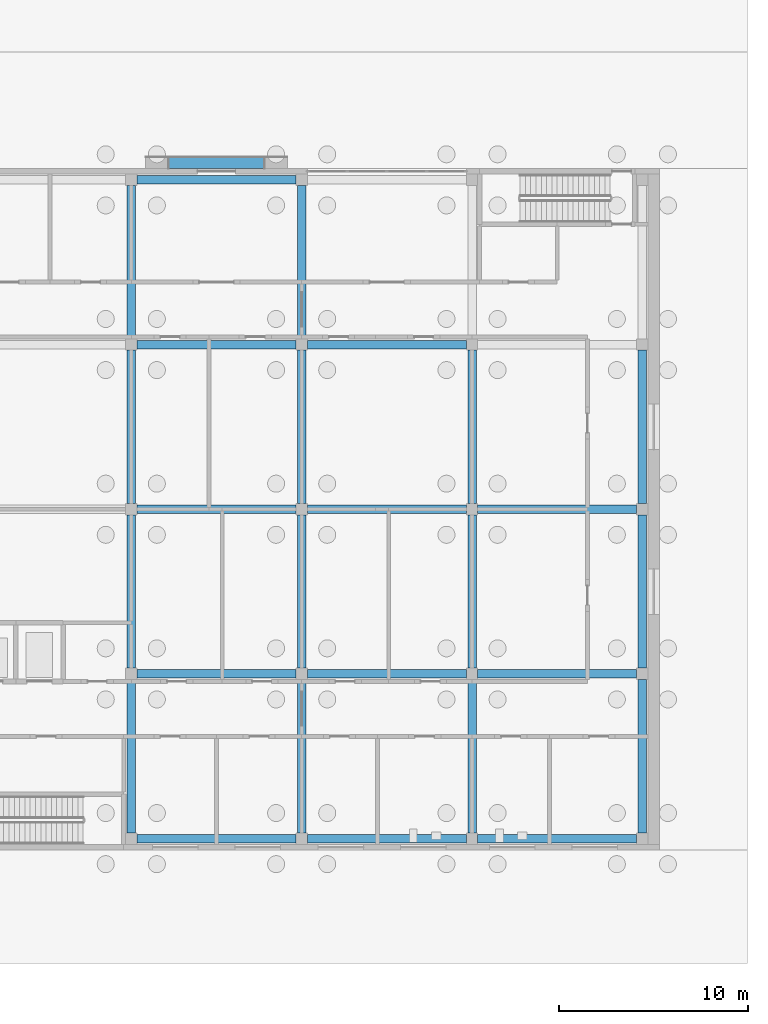
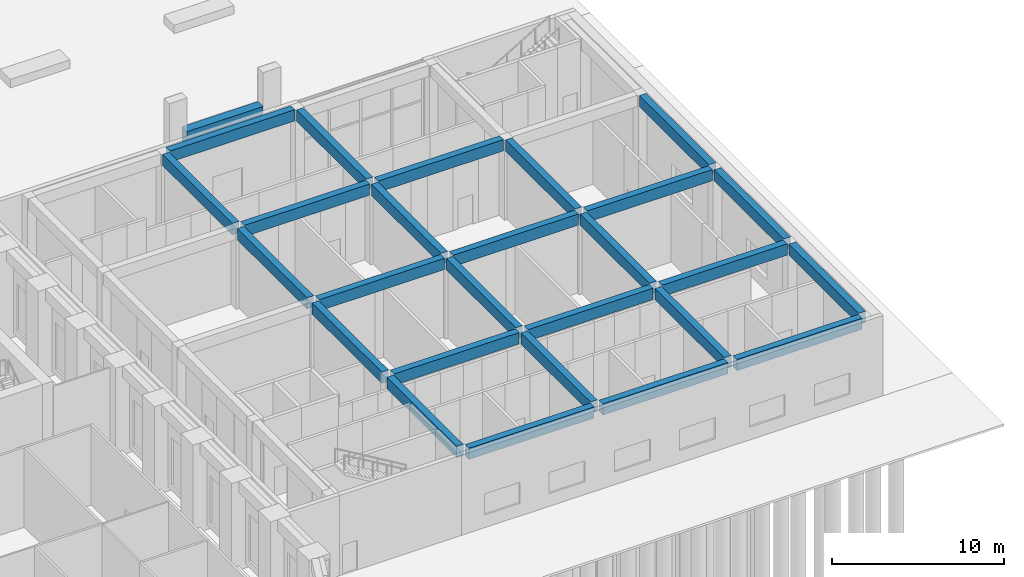
# One storey, part 9 of 31: 27 beams.
"""IFC4 building model written with IfcOpenShell, lengths in metres."""

from ifc_helpers import new_model, si_unit, direction, frame, origin, origin_2d, place, context, subcontext, project, spatial, rectangle, extrude, material, material_profile, profile_set, type_object, element, save


model = new_model("IFC4")

# Units and contexts
model_context = context("Model", 3, precision=1e-05, world=origin(), true_north=direction((0.0, 1.0)))
body_context = subcontext(model_context, "Body", "Model", "MODEL_VIEW")
ifc_project = project(units=[si_unit("LENGTHUNIT", "METRE"), si_unit("AREAUNIT", "SQUARE_METRE"), si_unit("VOLUMEUNIT", "CUBIC_METRE"), si_unit("PLANEANGLEUNIT", "RADIAN"), si_unit("MASSUNIT", "GRAM", prefix="KILO")], contexts=[model_context])

# Site, building, storey
site_placement = place(None, origin())
site = spatial("IfcSite", under=ifc_project, at=site_placement, CompositionType="ELEMENT")
building_placement = place(site_placement, origin())
building = spatial("IfcBuilding", under=site, at=building_placement, Name="Girih Gate Residences", CompositionType="ELEMENT")
storey_placement = place(building_placement, origin())
storey = spatial("IfcBuildingStorey", under=building, at=storey_placement, Name="L00", CompositionType="ELEMENT", Elevation=0.0)

# Beams
ifc_material_1 = material(Name="Concrete C40/50", Category="concrete")
ifc_material_profile_1 = material_profile(ifc_material_1, rectangle(XDim=0.449951171875, YDim=0.800048828125, at=origin_2d()))
ifc_profile_set_1 = profile_set([ifc_material_profile_1], Name="Concrete C40/50")
beam_type_1 = type_object("IfcBeamType", Name="HC Beam 450x800 C40/50", PredefinedType="BEAM", material=ifc_profile_set_1)
for number, where, z_axis, x_axis, name in (
    (1, (62.75, 9.60009765625, 5.300048828125), (1.0, 0.0, 0.0), (0.0, 1.0, 0.0), "L00 beam HA.2"),
    (2, (71.75, 9.60009765625, 5.300048828125), (1.0, 0.0, 0.0), (0.0, 1.0, 0.0), "L00 beam HA.3"),
    (3, (80.75, 9.60009765625, 5.300048828125), (1.0, 0.0, 0.0), (0.0, 1.0, 0.0), "L00 beam HA.4"),
    (4, (62.75, 18.300048828125, 5.300048828125), (1.0, 0.0, 0.0), (0.0, 1.0, 0.0), "L00 beam HB.2"),
    (5, (71.75, 18.300048828125, 5.300048828125), (1.0, 0.0, 0.0), (0.0, 1.0, 0.0), "L00 beam HB.3"),
    (6, (80.75, 18.300048828125, 5.300048828125), (1.0, 0.0, 0.0), (0.0, 1.0, 0.0), "L00 beam HB.4"),
    (7, (62.75, 27.0, 5.300048828125), (1.0, 0.0, 0.0), (0.0, 1.0, 0.0), "L00 beam HC.2"),
    (8, (71.75, 27.0, 5.300048828125), (1.0, 0.0, 0.0), (0.0, 1.0, 0.0), "L00 beam HC.3"),
    (9, (80.75, 27.0, 5.300048828125), (1.0, 0.0, 0.0), (0.0, 1.0, 0.0), "L00 beam HC.4"),
    (10, (62.75, 35.699951171875, 5.300048828125), (1.0, 0.0, 0.0), (0.0, 1.0, 0.0), "L00 beam HD.2"),
    (11, (71.75, 35.699951171875, 5.300048828125), (1.0, 0.0, 0.0), (0.0, 1.0, 0.0), "L00 beam HD.3"),
    (12, (62.75, 44.39990234375, 5.300048828125), (1.0, 0.0, 0.0), (0.0, 1.0, 0.0), "L00 beam HE.2"),
):
    element("IfcBeam", number, at=place(storey_placement, frame(where, z_axis=z_axis, x_axis=x_axis)), inside=storey, type_object=beam_type_1, Name=name, PredefinedType="BEAM", context=body_context, shape_type="SweptSolid", body=[
        extrude(rectangle(XDim=0.449951171875, YDim=0.800048828125, at=origin_2d()), origin(), (0.0, 0.0, 1.0), 8.39990234375),
    ])
beam_1_placement = place(storey_placement, frame((62.449951171875, 9.89990234375, 5.300048828125), z_axis=(0.0, 1.0, 0.0), x_axis=(-1.0, 0.0, 0.0)))
element("IfcBeam", 13, at=beam_1_placement, inside=storey, type_object=beam_type_1, Name="L00 beam H2.1", PredefinedType="BEAM", context=body_context, shape_type="SweptSolid", body=[
    extrude(rectangle(XDim=0.449951171875, YDim=0.800048828125, at=origin_2d()), origin(), (0.0, 0.0, 1.0), 8.10009765625),
])
for number, where, z_axis, x_axis, name in (
    (14, (62.449951171875, 18.60009765625, 5.300048828125), (0.0, 1.0, 0.0), (-1.0, 0.0, 0.0), "L00 beam H2.2"),
    (15, (62.449951171875, 27.300048828125, 5.300048828125), (0.0, 1.0, 0.0), (-1.0, 0.0, 0.0), "L00 beam H2.3"),
):
    element("IfcBeam", number, at=place(storey_placement, frame(where, z_axis=z_axis, x_axis=x_axis)), inside=storey, type_object=beam_type_1, Name=name, PredefinedType="BEAM", context=body_context, shape_type="SweptSolid", body=[
        extrude(rectangle(XDim=0.449951171875, YDim=0.800048828125, at=origin_2d()), origin(), (0.0, 0.0, 1.0), 8.099853515625),
    ])
for number, where, z_axis, x_axis, name in (
    (16, (62.449951171875, 36.0, 5.300048828125), (0.0, 1.0, 0.0), (-1.0, 0.0, 0.0), "L00 beam H2.4"),
    (17, (71.449951171875, 9.89990234375, 5.300048828125), (0.0, 1.0, 0.0), (-1.0, 0.0, 0.0), "L00 beam H3.1"),
):
    element("IfcBeam", number, at=place(storey_placement, frame(where, z_axis=z_axis, x_axis=x_axis)), inside=storey, type_object=beam_type_1, Name=name, PredefinedType="BEAM", context=body_context, shape_type="SweptSolid", body=[
        extrude(rectangle(XDim=0.449951171875, YDim=0.800048828125, at=origin_2d()), origin(), (0.0, 0.0, 1.0), 8.10009765625),
    ])
for number, where, z_axis, x_axis, name in (
    (18, (71.449951171875, 18.60009765625, 5.300048828125), (0.0, 1.0, 0.0), (-1.0, 0.0, 0.0), "L00 beam H3.2"),
    (19, (71.449951171875, 27.300048828125, 5.300048828125), (0.0, 1.0, 0.0), (-1.0, 0.0, 0.0), "L00 beam H3.3"),
):
    element("IfcBeam", number, at=place(storey_placement, frame(where, z_axis=z_axis, x_axis=x_axis)), inside=storey, type_object=beam_type_1, Name=name, PredefinedType="BEAM", context=body_context, shape_type="SweptSolid", body=[
        extrude(rectangle(XDim=0.449951171875, YDim=0.800048828125, at=origin_2d()), origin(), (0.0, 0.0, 1.0), 8.099853515625),
    ])
for number, where, z_axis, x_axis, name in (
    (20, (71.449951171875, 36.0, 5.300048828125), (0.0, 1.0, 0.0), (-1.0, 0.0, 0.0), "L00 beam H3.4"),
    (21, (80.449951171875, 9.89990234375, 5.300048828125), (0.0, 1.0, 0.0), (-1.0, 0.0, 0.0), "L00 beam H4.1"),
):
    element("IfcBeam", number, at=place(storey_placement, frame(where, z_axis=z_axis, x_axis=x_axis)), inside=storey, type_object=beam_type_1, Name=name, PredefinedType="BEAM", context=body_context, shape_type="SweptSolid", body=[
        extrude(rectangle(XDim=0.449951171875, YDim=0.800048828125, at=origin_2d()), origin(), (0.0, 0.0, 1.0), 8.10009765625),
    ])
for number, where, z_axis, x_axis, name in (
    (22, (80.449951171875, 18.60009765625, 5.300048828125), (0.0, 1.0, 0.0), (-1.0, 0.0, 0.0), "L00 beam H4.2"),
    (23, (80.449951171875, 27.300048828125, 5.300048828125), (0.0, 1.0, 0.0), (-1.0, 0.0, 0.0), "L00 beam H4.3"),
):
    element("IfcBeam", number, at=place(storey_placement, frame(where, z_axis=z_axis, x_axis=x_axis)), inside=storey, type_object=beam_type_1, Name=name, PredefinedType="BEAM", context=body_context, shape_type="SweptSolid", body=[
        extrude(rectangle(XDim=0.449951171875, YDim=0.800048828125, at=origin_2d()), origin(), (0.0, 0.0, 1.0), 8.099853515625),
    ])
beam_2_placement = place(storey_placement, frame((89.449951171875, 9.89990234375, 5.300048828125), z_axis=(0.0, 1.0, 0.0), x_axis=(-1.0, 0.0, 0.0)))
element("IfcBeam", 24, at=beam_2_placement, inside=storey, type_object=beam_type_1, Name="L00 beam H5.1", PredefinedType="BEAM", context=body_context, shape_type="SweptSolid", body=[
    extrude(rectangle(XDim=0.449951171875, YDim=0.800048828125, at=origin_2d()), origin(), (0.0, 0.0, 1.0), 8.10009765625),
])
for number, where, z_axis, x_axis, name in (
    (25, (89.449951171875, 18.60009765625, 5.300048828125), (0.0, 1.0, 0.0), (-1.0, 0.0, 0.0), "L00 beam H5.2"),
    (26, (89.449951171875, 27.300048828125, 5.300048828125), (0.0, 1.0, 0.0), (-1.0, 0.0, 0.0), "L00 beam H5.3"),
):
    element("IfcBeam", number, at=place(storey_placement, frame(where, z_axis=z_axis, x_axis=x_axis)), inside=storey, type_object=beam_type_1, Name=name, PredefinedType="BEAM", context=body_context, shape_type="SweptSolid", body=[
        extrude(rectangle(XDim=0.449951171875, YDim=0.800048828125, at=origin_2d()), origin(), (0.0, 0.0, 1.0), 8.099853515625),
    ])
ifc_material_2 = material(Name="Concrete C50/60", Category="concrete")
ifc_material_profile_2 = material_profile(ifc_material_2, rectangle(XDim=0.60009765625, YDim=1.0, at=origin_2d()))
ifc_profile_set_2 = profile_set([ifc_material_profile_2], Name="Concrete C50/60")
beam_type_2 = type_object("IfcBeamType", Name="HC Portal lintel 600x1000 C50/60", PredefinedType="LINTEL", material=ifc_profile_set_2)
beam_3_placement = place(storey_placement, frame((64.39990234375, 45.300048828125, 5.5), z_axis=(1.0, 0.0, 0.0), x_axis=(0.0, 1.0, 0.0)))
element("IfcBeam", 27, at=beam_3_placement, inside=storey, type_object=beam_type_2, Name="Entrance portal lintel", PredefinedType="LINTEL", context=body_context, shape_type="SweptSolid", body=[
    extrude(rectangle(XDim=0.60009765625, YDim=1.0, at=origin_2d()), origin(), (0.0, 0.0, 1.0), 5.10009765625),
])

save(model, "model.ifc")
